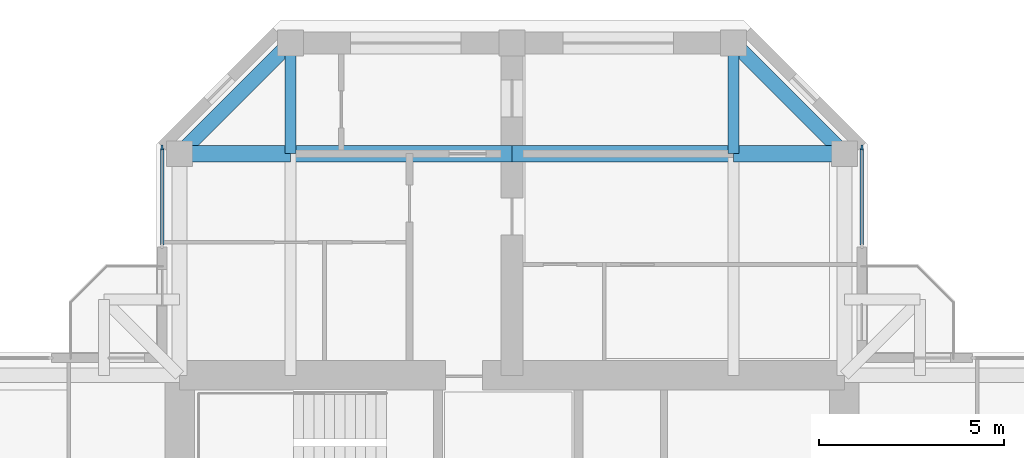
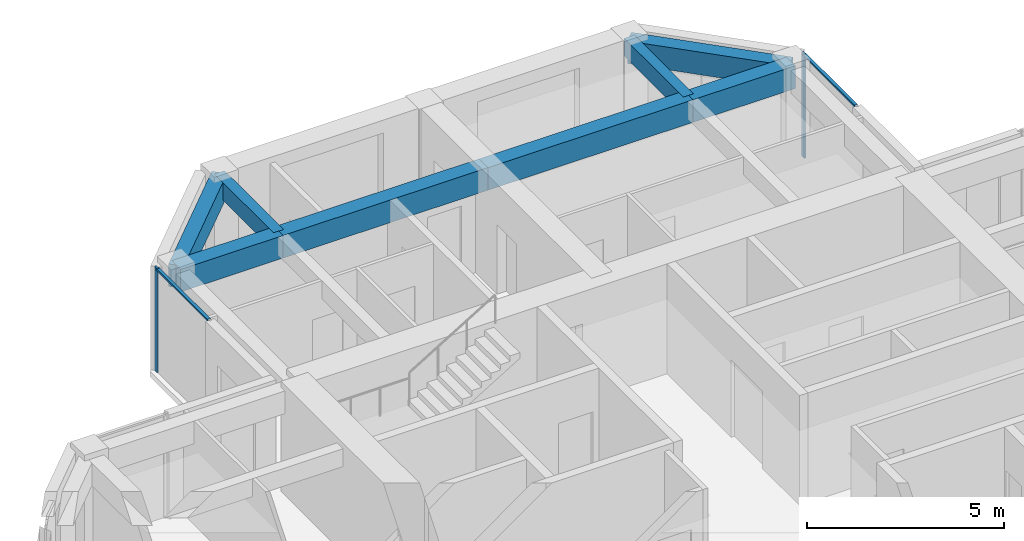
# One storey, part 6 of 13: 8 beams, 4 members, 2 elements without a shape of their own.
"""IFC4 building model written with IfcOpenShell, lengths in metres."""

from ifc_helpers import new_model, si_unit, direction, frame, origin, origin_2d, place, context, subcontext, project, spatial, rectangle, extrude, material, material_profile, profile_set, type_object, element, aggregate, save


model = new_model("IFC4")

# Units and contexts
model_context = context("Model", 3, precision=1e-05, world=origin(), true_north=direction((0.0, 1.0)))
body_context = subcontext(model_context, "Body", "Model", "MODEL_VIEW")
ifc_project = project(units=[si_unit("LENGTHUNIT", "METRE"), si_unit("AREAUNIT", "SQUARE_METRE"), si_unit("VOLUMEUNIT", "CUBIC_METRE"), si_unit("PLANEANGLEUNIT", "RADIAN"), si_unit("MASSUNIT", "GRAM", prefix="KILO")], contexts=[model_context])

# Site, building, storey
site_placement = place(None, origin())
site = spatial("IfcSite", under=ifc_project, at=site_placement, CompositionType="ELEMENT")
building_placement = place(site_placement, origin())
building = spatial("IfcBuilding", under=site, at=building_placement, Name="Torre Cruceta", CompositionType="ELEMENT")
storey_placement = place(building_placement, frame((0.0, 0.0, 264.5)))
storey = spatial("IfcBuildingStorey", under=building, at=storey_placement, Name="L68", CompositionType="ELEMENT", Elevation=264.5)

# Beams
ifc_material_1 = material(Name="Concrete G60 (fck 60 MPa)", Category="concrete")
ifc_material_profile_1 = material_profile(ifc_material_1, rectangle(XDim=0.300048828125, YDim=0.550048828125, at=origin_2d()), Name="RC 300X550")
ifc_profile_set_1 = profile_set([ifc_material_profile_1], Name="Concrete G60 (fck 60 MPa)")
beam_type_1 = type_object("IfcBeamType", Name="COLUMN LINE BEAM RC 300X550", PredefinedType="BEAM", material=ifc_profile_set_1)
for number, where, z_axis, x_axis, name in (
    (1, (6.0, 15.0, 2.945068359375), (0.0, 1.0, 0.0), (-1.0, 0.0, 0.0), "LB10 L68 N col- 2"),
    (2, (-6.0, 15.0, 2.945068359375), (0.0, 1.0, 0.0), (-1.0, 0.0, 0.0), "LB10 L68 N col+ 2"),
):
    element("IfcBeam", number, at=place(storey_placement, frame(where, z_axis=z_axis, x_axis=x_axis)), inside=storey, type_object=beam_type_1, Name=name, PredefinedType="BEAM", context=body_context, shape_type="SweptSolid", body=[
        extrude(rectangle(XDim=0.300048828125, YDim=0.550048828125, at=origin_2d()), origin(), (0.0, 0.0, 1.0), 3.0),
    ])
ifc_material_2 = material(Name="Concrete G60 (fck 60 MPa)", Category="concrete")
ifc_material_profile_2 = material_profile(ifc_material_2, rectangle(XDim=0.449951171875, YDim=0.699951171875, at=origin_2d()), Name="RC 450X700")
ifc_profile_set_2 = profile_set([ifc_material_profile_2], Name="Concrete G60 (fck 60 MPa)")
beam_type_2 = type_object("IfcBeamType", Name="CROSS BEAM RC 450X700", PredefinedType="BEAM", material=ifc_profile_set_2)
beam_1_placement = place(storey_placement, frame((9.0, 15.0, 2.8701171875), z_axis=(-1.0, 0.0, 0.0), x_axis=(0.0, -1.0, 0.0)))
element("IfcBeam", 3, at=beam_1_placement, inside=storey, type_object=beam_type_2, Name="GB8 L68 N cross15 1", PredefinedType="BEAM", context=body_context, shape_type="SweptSolid", body=[
    extrude(rectangle(XDim=0.449951171875, YDim=0.699951171875, at=origin_2d()), origin(), (0.0, 0.0, 1.0), 3.0),
])
for number, where, z_axis, x_axis, name in (
    (4, (6.0, 15.0, 2.8701171875), (-1.0, 0.0, 0.0), (0.0, -1.0, 0.0), "GB8 L68 N cross15 2"),
    (5, (0.0, 15.0, 2.8701171875), (-1.0, 0.0, 0.0), (0.0, -1.0, 0.0), "GB8 L68 N cross15 3"),
):
    element("IfcBeam", number, at=place(storey_placement, frame(where, z_axis=z_axis, x_axis=x_axis)), inside=storey, type_object=beam_type_2, Name=name, PredefinedType="BEAM", context=body_context, shape_type="SweptSolid", body=[
        extrude(rectangle(XDim=0.449951171875, YDim=0.699951171875, at=origin_2d()), origin(), (0.0, 0.0, 1.0), 6.0),
    ])
beam_2_placement = place(storey_placement, frame((-6.0, 15.0, 2.8701171875), z_axis=(-1.0, 0.0, 0.0), x_axis=(0.0, -1.0, 0.0)))
element("IfcBeam", 6, at=beam_2_placement, inside=storey, type_object=beam_type_2, Name="GB8 L68 N cross15 4", PredefinedType="BEAM", context=body_context, shape_type="SweptSolid", body=[
    extrude(rectangle(XDim=0.449951171875, YDim=0.699951171875, at=origin_2d()), origin(), (0.0, 0.0, 1.0), 3.0),
])

# Curtain wall, member
ifc_material_3 = material(Name="Aluminium unitised curtain wall", Category="aluminium")
curtain_wall_type = type_object("IfcCurtainWallType", Name="CURTAIN WALL CW-E CO-LIVING TOP", PredefinedType="USERDEFINED", material=ifc_material_3)
curtain_wall_1_placement = place(storey_placement, origin())
curtain_wall_1 = element("IfcCurtainWall", 7, at=curtain_wall_1_placement, inside=storey, type_object=curtain_wall_type, Name="CW-E L68 N side 05", ObjectType="UNITISED", PredefinedType="USERDEFINED")
ifc_material_4 = material(Name="Aluminium mullion", Category="aluminium")
ifc_material_profile_3 = material_profile(ifc_material_4, rectangle(XDim=0.054931640625, YDim=0.139892578125, at=origin_2d()), Name="AL 55X140")
ifc_profile_set_3 = profile_set([ifc_material_profile_3], Name="Aluminium mullion")
member_type_1 = type_object("IfcMemberType", Name="CW-E MULLION 55X140", PredefinedType="MULLION", material=ifc_profile_set_3)
member_1_placement = place(storey_placement, frame((9.469970703125, 15.167236328125, 0.0), z_axis=(0.0, 0.0, 1.0), x_axis=(-1.0, 0.0, 0.0)))
member_1 = element("IfcMember", 8, at=member_1_placement, type_object=member_type_1, Name="CW-E mullion 2", PredefinedType="MULLION", context=body_context, shape_type="SweptSolid", body=[
    extrude(rectangle(XDim=0.054931640625, YDim=0.139892578125, at=origin_2d()), origin(), (0.0, 0.0, 1.0), 3.219970703125),
])

curtain_wall_2_placement = place(storey_placement, origin())
curtain_wall_2 = element("IfcCurtainWall", 9, at=curtain_wall_2_placement, inside=storey, type_object=curtain_wall_type, Name="CW-E L68 N side 09", ObjectType="UNITISED", PredefinedType="USERDEFINED")
member_2_placement = place(storey_placement, frame((-9.469970703125, 15.167236328125, 0.0), z_axis=(0.0, 0.0, 1.0), x_axis=(1.0, 0.0, 0.0)))
member_2 = element("IfcMember", 10, at=member_2_placement, type_object=member_type_1, Name="CW-E mullion 1", PredefinedType="MULLION", context=body_context, shape_type="SweptSolid", body=[
    extrude(rectangle(XDim=0.054931640625, YDim=0.139892578125, at=origin_2d()), origin(), (0.0, 0.0, 1.0), 3.219970703125),
])

# Member
ifc_material_5 = material(Name="Aluminium transom", Category="aluminium")
ifc_material_profile_4 = material_profile(ifc_material_5, rectangle(XDim=0.090087890625, YDim=0.054931640625, at=origin_2d()), Name="AL 90X55")
ifc_profile_set_4 = profile_set([ifc_material_profile_4], Name="Aluminium transom")
member_type_2 = type_object("IfcMemberType", Name="CW-E TRANSOM 55X90", PredefinedType="USERDEFINED", material=ifc_profile_set_4)
member_3_placement = place(storey_placement, frame((9.469970703125, 12.52490234375, 3.1923828125), z_axis=(0.0, 1.0, 0.0), x_axis=(-1.0, 0.0, 0.0)))
member_3 = element("IfcMember", 11, at=member_3_placement, type_object=member_type_2, Name="CW-E transom 1", ObjectType="TRANSOM", PredefinedType="USERDEFINED", context=body_context, shape_type="SweptSolid", body=[
    extrude(rectangle(XDim=0.090087890625, YDim=0.054931640625, at=origin_2d()), origin(), (0.0, 0.0, 1.0), 2.61474609375),
])

aggregate(curtain_wall_1, [member_1, member_3])

member_4_placement = place(storey_placement, frame((-9.469970703125, 15.1396484375, 3.1923828125), z_axis=(0.0, -1.0, 0.0), x_axis=(1.0, 0.0, 0.0)))
member_4 = element("IfcMember", 12, at=member_4_placement, type_object=member_type_2, Name="CW-E transom 1", ObjectType="TRANSOM", PredefinedType="USERDEFINED", context=body_context, shape_type="SweptSolid", body=[
    extrude(rectangle(XDim=0.090087890625, YDim=0.054931640625, at=origin_2d()), origin(), (0.0, 0.0, 1.0), 2.61474609375),
])

aggregate(curtain_wall_2, [member_2, member_4])

# Beams
ifc_material_6 = material(Name="Concrete G60 (fck 60 MPa)", Category="concrete")
ifc_material_profile_5 = material_profile(ifc_material_6, rectangle(XDim=0.39990234375, YDim=0.699951171875, at=origin_2d()), Name="RC 400X700")
ifc_profile_set_5 = profile_set([ifc_material_profile_5], Name="Concrete G60 (fck 60 MPa)")
beam_type_3 = type_object("IfcBeamType", Name="SPANDREL BEAM RC 400X700", PredefinedType="SPANDREL", material=ifc_profile_set_5)
for number, where, z_axis, x_axis, name in (
    (13, (9.0, 15.0, 2.8701171875), (-0.707106781187, 0.707106781187, 0.0), (-0.707106781187, -0.707106781187, 0.0), "SB8 L68 N side- 2"),
    (14, (-9.0, 15.0, 2.8701171875), (0.707106781187, 0.707106781187, 0.0), (-0.707106781187, 0.707106781187, 0.0), "SB8 L68 N side+ 2"),
):
    element("IfcBeam", number, at=place(storey_placement, frame(where, z_axis=z_axis, x_axis=x_axis)), inside=storey, type_object=beam_type_3, Name=name, PredefinedType="SPANDREL", context=body_context, shape_type="SweptSolid", body=[
        extrude(rectangle(XDim=0.39990234375, YDim=0.699951171875, at=origin_2d()), origin(), (0.0, 0.0, 1.0), 4.24267578125),
    ])

save(model, "model.ifc")
